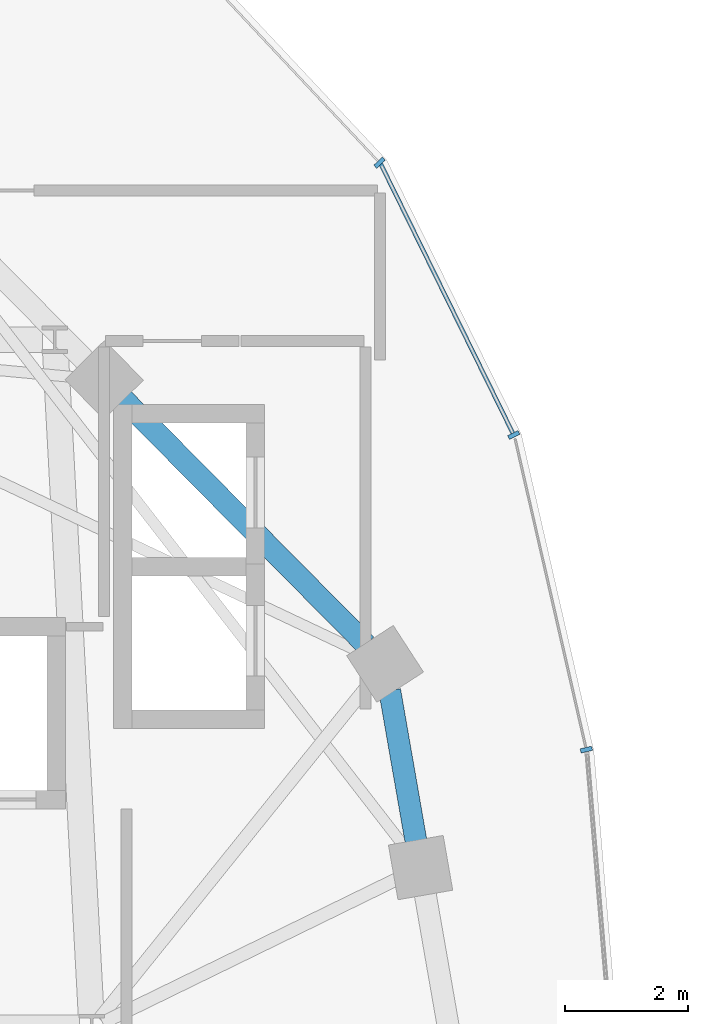
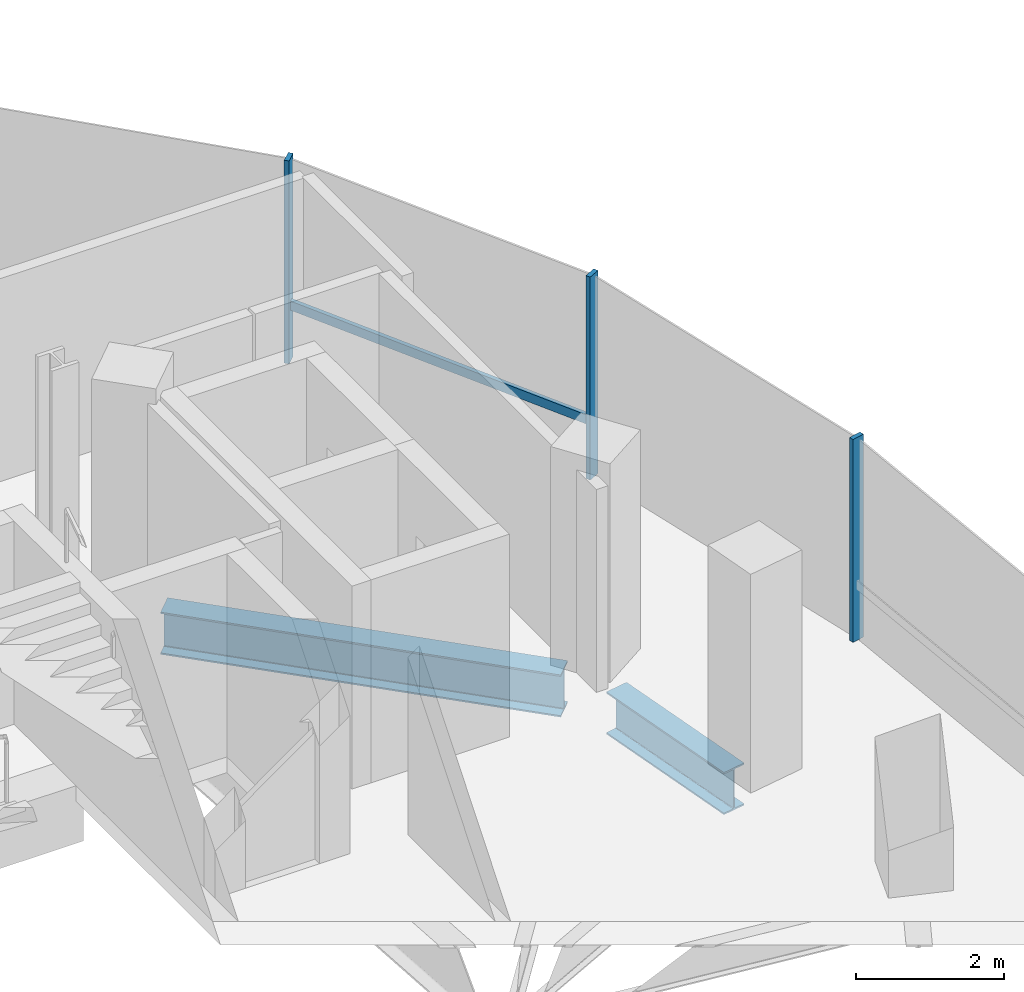
# One storey, part 7 of 25: 4 members, 2 beams, 1 element without a shape of its own.
"""IFC4 building model written with IfcOpenShell, lengths in metres."""

import ifcopenshell
import ifcopenshell.guid

model = None  # the IFC model being written
_history = None  # IfcOwnerHistory: only IFC2X3 demands one
_inside = {}  # id of a spatial element -> (the spatial element, [elements in it])
_under = {}  # id of a project, library or spatial element -> (it, [spatial elements below it])
_declared = {}  # id of a project -> (the project, [libraries it declares])
_typed = {}  # id of a type object -> (the type object, [elements of that type])
_made_of = {}  # id of a material, layer set ... -> (it, [elements and type objects made of it])


def new_model(schema):
    """Start an empty IFC model of exactly this schema.

    Asked for "IFC4X3", IfcOpenShell would pick the latest addendum, in which some entities
    have other attributes; the version numbers below select the first issue.
    IFC2X3 requires an IfcOwnerHistory on every rooted entity: one is made here for all.
    """
    global model, _history
    if schema == "IFC4X3":
        model = ifcopenshell.file(schema_version=(4, 3, 0, 0))
    else:
        model = ifcopenshell.file(schema=schema)
    _inside.clear()
    _under.clear()
    _declared.clear()
    _typed.clear()
    _made_of.clear()
    _history = None
    if model.schema == "IFC2X3":
        org = make("IfcOrganization", Name="unknown")
        user = make(
            "IfcPersonAndOrganization",
            ThePerson=make("IfcPerson", FamilyName="unknown"),
            TheOrganization=org,
        )
        app = make(
            "IfcApplication",
            ApplicationDeveloper=org,
            Version="unknown",
            ApplicationFullName="unknown",
            ApplicationIdentifier="unknown",
        )
        _history = make(
            "IfcOwnerHistory",
            OwningUser=user,
            OwningApplication=app,
            ChangeAction="ADDED",
            CreationDate=0,
        )
    return model


def make(cls, **values):
    """One entity of the class cls with the attributes given. An attribute that is None is left unset."""
    return model.create_entity(
        cls, **{name: value for name, value in values.items() if value is not None}
    )


def rooted(cls, **values):
    """An entity with a GlobalId (a new one), such as an element, a storey or a relation."""
    return make(cls, GlobalId=ifcopenshell.guid.new(), OwnerHistory=_history, **values)


def si_unit(unit_type, name, prefix=None):
    """IfcSIUnit, for example si_unit("LENGTHUNIT", "METRE", prefix="MILLI")."""
    return make("IfcSIUnit", UnitType=unit_type, Prefix=prefix, Name=name)


def assignment(units):
    """IfcUnitAssignment: the units of a project."""
    return None if units is None else make("IfcUnitAssignment", Units=units)


def point(xyz):
    """IfcCartesianPoint."""
    return None if xyz is None else make("IfcCartesianPoint", Coordinates=xyz)


def direction(xyz):
    """IfcDirection."""
    return None if xyz is None else make("IfcDirection", DirectionRatios=xyz)


def frame(location, z_axis=None, x_axis=None):
    """IfcAxis2Placement3D, a coordinate frame: its origin and axes. An axis left out is left unset."""
    return make(
        "IfcAxis2Placement3D",
        Location=point(location),
        Axis=direction(z_axis),
        RefDirection=direction(x_axis),
    )


def frame_2d(location, x_axis=None):
    """IfcAxis2Placement2D, a coordinate frame in the plane: its origin and x axis."""
    return make(
        "IfcAxis2Placement2D", Location=point(location), RefDirection=direction(x_axis)
    )


def origin():
    """The frame at (0, 0, 0) with its axes left unset."""
    return frame((0.0, 0.0, 0.0))


def origin_2d():
    """The frame at (0, 0) in the plane with its x axis left unset."""
    return frame_2d((0.0, 0.0))


def place(relative_to, where):
    """IfcLocalPlacement: puts the frame where relative to a parent placement (None: the world)."""
    return make(
        "IfcLocalPlacement", PlacementRelTo=relative_to, RelativePlacement=where
    )


def context(
    kind, dimensions, precision=None, world=None, true_north=None, identifier=None
):
    """IfcGeometricRepresentationContext, for example the 3D "Model" context."""
    return make(
        "IfcGeometricRepresentationContext",
        ContextIdentifier=identifier,
        ContextType=kind,
        CoordinateSpaceDimension=dimensions,
        Precision=precision,
        WorldCoordinateSystem=world,
        TrueNorth=true_north,
    )


def subcontext(parent, identifier, kind, view, scale=None):
    """IfcGeometricRepresentationSubContext, for example "Body" below "Model"."""
    return make(
        "IfcGeometricRepresentationSubContext",
        ContextIdentifier=identifier,
        ContextType=kind,
        ParentContext=parent,
        TargetScale=scale,
        TargetView=view,
    )


def project(units=None, contexts=None):
    """IfcProject with its units and contexts."""
    return rooted(
        "IfcProject",
        Name="project",
        RepresentationContexts=contexts,
        UnitsInContext=assignment(units),
    )


def spatial(cls, under=None, at=None, **own):
    """A site, building, storey or space (cls), placed at a placement, below another one or the project."""
    s = rooted(cls, ObjectPlacement=at, **own)
    if under is not None:
        _under.setdefault(under.id(), (under, []))[1].append(s)
    return s


def profile(cls, at=None, kind="AREA", **sizes):
    """A parametric profile (cls). Its sizes go by their IFC names, for example OverallWidth=200.0."""
    return make(cls, ProfileType=kind, Position=at, **sizes)


def rectangle(**sizes):
    """IfcRectangleProfileDef."""
    return profile("IfcRectangleProfileDef", **sizes)


def i_section(**sizes):
    """IfcIShapeProfileDef."""
    return profile("IfcIShapeProfileDef", **sizes)


def extrude(swept, where, along, depth):
    """IfcExtrudedAreaSolid: the profile swept, set in the frame where, extruded along a direction by depth."""
    return make(
        "IfcExtrudedAreaSolid",
        SweptArea=swept,
        Position=where,
        ExtrudedDirection=direction(along),
        Depth=depth,
    )


def shape(context_of_items, identifier, shape_type, items):
    """IfcShapeRepresentation: the items that make up one representation, for example the "Body"."""
    return make(
        "IfcShapeRepresentation",
        ContextOfItems=context_of_items,
        RepresentationIdentifier=identifier,
        RepresentationType=shape_type,
        Items=items,
    )


def material(Name=None, Category=None):
    """IfcMaterial."""
    return make("IfcMaterial", Name=Name, Category=Category)


def material_profile(
    of_material, cross_section, Name=None, Category=None, Priority=None
):
    """IfcMaterialProfile: a cross section and its material."""
    return make(
        "IfcMaterialProfile",
        Name=Name,
        Material=of_material,
        Profile=cross_section,
        Priority=Priority,
        Category=Category,
    )


def profile_set(profiles, Name=None, composite=None):
    """IfcMaterialProfileSet."""
    return make(
        "IfcMaterialProfileSet",
        Name=Name,
        MaterialProfiles=profiles,
        CompositeProfile=composite,
    )


def made_of(thing, what):
    """Note that an element or type object is made of a material, layer set ...; save() writes the relation."""
    if what is not None:
        _made_of.setdefault(what.id(), (what, []))[1].append(thing)
    return thing


def type_object(cls, material=None, **own):
    """A type object (cls), such as IfcWallType, which elements share."""
    return made_of(rooted(cls, **own), material)


def element(
    cls,
    number,
    at=None,
    inside=None,
    cuts=None,
    type_object=None,
    material=None,
    context=None,
    identifier="Body",
    shape_type=None,
    held_by="IfcProductDefinitionShape",
    body=None,
    shapes=None,
    **own,
):
    """One element of the class cls, such as IfcWall. Its Tag is "e" and its number.

    at: its placement. inside: the storey or other place that contains it. cuts: it is an
    opening in that element (IfcRelVoidsElement). A single representation is given by context,
    identifier, shape_type and body (its items); several are given by shapes. held_by: the class
    of the entity that holds the representations. save() writes the other relations.
    """
    e = rooted(cls, Tag="e%d" % number, ObjectPlacement=at, **own)
    if body is not None:
        shapes = [shape(context, identifier, shape_type, body)]
    if shapes is not None:
        e.Representation = make(held_by, Representations=shapes)
    if inside is not None:
        _inside.setdefault(inside.id(), (inside, []))[1].append(e)
    if cuts is not None:
        rooted(
            "IfcRelVoidsElement", RelatingBuildingElement=cuts, RelatedOpeningElement=e
        )
    if type_object is not None:
        _typed.setdefault(type_object.id(), (type_object, []))[1].append(e)
    return made_of(e, material)


def aggregate(whole, parts):
    """IfcRelAggregates: a whole, such as a stair, and the parts it consists of."""
    return rooted("IfcRelAggregates", RelatingObject=whole, RelatedObjects=parts)


def save(model, path):
    """Write the relations noted so far, then the file.

    IfcRelAggregates (storeys below a building ...), IfcRelContainedInSpatialStructure (elements
    in a storey), IfcRelDefinesByType, IfcRelAssociatesMaterial and IfcRelDeclares: one each for
    every whole, place, type object, material and project.
    """
    for whole, parts in _under.values():
        aggregate(whole, parts)
    for where, things in _inside.values():
        rooted(
            "IfcRelContainedInSpatialStructure",
            RelatedElements=things,
            RelatingStructure=where,
        )
    for kind, things in _typed.values():
        rooted("IfcRelDefinesByType", RelatedObjects=things, RelatingType=kind)
    for what, things in _made_of.values():
        rooted("IfcRelAssociatesMaterial", RelatedObjects=things, RelatingMaterial=what)
    for by, libraries in _declared.values():
        rooted("IfcRelDeclares", RelatingContext=by, RelatedDefinitions=libraries)
    model.write(path)


model = new_model("IFC4")

# Units and contexts
model_context = context("Model", 3, precision=1e-05, world=origin(), true_north=direction((0.0, 1.0)))
body_context = subcontext(model_context, "Body", "Model", "MODEL_VIEW")
ifc_project = project(units=[si_unit("LENGTHUNIT", "METRE"), si_unit("AREAUNIT", "SQUARE_METRE"), si_unit("VOLUMEUNIT", "CUBIC_METRE"), si_unit("PLANEANGLEUNIT", "RADIAN"), si_unit("MASSUNIT", "GRAM", prefix="KILO"), si_unit("THERMODYNAMICTEMPERATUREUNIT", "KELVIN"), si_unit("POWERUNIT", "WATT")], contexts=[model_context])

# Site, building, storey
site_placement = place(None, origin())
site = spatial("IfcSite", under=ifc_project, at=site_placement, CompositionType="ELEMENT")
building_placement = place(site_placement, origin())
building = spatial("IfcBuilding", under=site, at=building_placement, Name="Cundina Bronze Exchange", CompositionType="ELEMENT")
storey_placement = place(building_placement, frame((0.0, 0.0, 217.0)))
storey = spatial("IfcBuildingStorey", under=building, at=storey_placement, Name="L57", CompositionType="ELEMENT", Elevation=217.0)

# Beams
ifc_material_1 = material(Name="Steel ASTM A992 Grade 50", Category="steel")
ifc_material_profile_1 = material_profile(ifc_material_1, i_section(OverallWidth=0.35498046875, OverallDepth=0.695068359375, WebThickness=0.015380859375, FlangeThickness=0.02490234375, FilletRadius=0.01806640625, at=origin_2d()), Name="W27X146", Category="steel")
ifc_profile_set_1 = profile_set([ifc_material_profile_1], Name="Steel ASTM A992 Grade 50")
beam_type = type_object("IfcBeamType", Name="BM-RING-W27", PredefinedType="USERDEFINED", material=ifc_profile_set_1)
beam_1_placement = place(storey_placement, frame((-16.2001953125, 6.931396484375, -0.607421875), z_axis=(-0.171628556628, 0.985161732179, 0.0), x_axis=(-0.985161732179, -0.171628556628, 0.0)))
element("IfcBeam", 1, at=beam_1_placement, inside=storey, type_object=beam_type, Name="L57 W Perimeter Ring Girder 01", ObjectType="GIRDER", PredefinedType="USERDEFINED", context=body_context, shape_type="SweptSolid", body=[
    extrude(i_section(OverallWidth=0.35498046875, OverallDepth=0.695068359375, WebThickness=0.015380859375, FlangeThickness=0.02490234375, FilletRadius=0.01806640625, at=origin_2d()), origin(), (0.0, 0.0, 1.0), 2.4736328125),
])
beam_2_placement = place(storey_placement, frame((-17.008056640625, 10.111328125, -0.607421875), z_axis=(-0.703211928763, 0.710980297368, 0.0), x_axis=(-0.710980297368, -0.703211928763, 0.0)))
element("IfcBeam", 2, at=beam_2_placement, inside=storey, type_object=beam_type, Name="L57 W Perimeter Ring Girder 02", ObjectType="GIRDER", PredefinedType="USERDEFINED", context=body_context, shape_type="SweptSolid", body=[
    extrude(i_section(OverallWidth=0.35498046875, OverallDepth=0.695068359375, WebThickness=0.015380859375, FlangeThickness=0.02490234375, FilletRadius=0.01806640625, at=origin_2d()), origin(), (0.0, 0.0, 1.0), 5.593994140625),
])

# Curtain wall, members
ifc_material_2 = material(Name="Anodised Bronze Aluminium 6063-T6", Category="aluminium")
curtain_wall_type = type_object("IfcCurtainWallType", Name="CWS-UPP-OFF", PredefinedType="NOTDEFINED", material=ifc_material_2)
curtain_wall_placement = place(storey_placement, origin())
curtain_wall = element("IfcCurtainWall", 3, at=curtain_wall_placement, inside=storey, type_object=curtain_wall_type, Name="L57 CW-05 Curtain Wall Run CWR-L57-W1", PredefinedType="NOTDEFINED")
ifc_material_profile_2 = material_profile(ifc_material_2, rectangle(XDim=0.070068359375, YDim=0.18994140625, at=origin_2d()), Name="AL70X190", Category="aluminium")
ifc_profile_set_2 = profile_set([ifc_material_profile_2], Name="Anodised Bronze Aluminium 6063-T6")
member_type_1 = type_object("IfcMemberType", Name="CWM-MUL-190", PredefinedType="MULLION", material=ifc_profile_set_2)
member_1_placement = place(storey_placement, frame((-13.43994140625, 8.4111328125, 0.0), z_axis=(0.0, 0.0, 1.0), x_axis=(-0.223250116011, 0.974761194191, 0.0)))
member_1 = element("IfcMember", 4, at=member_1_placement, type_object=member_type_1, Name="CW-05 Mullion 2", PredefinedType="MULLION", context=body_context, shape_type="SweptSolid", body=[
    extrude(rectangle(XDim=0.070068359375, YDim=0.18994140625, at=origin_2d()), origin(), (0.0, 0.0, 1.0), 3.340087890625),
])
member_2_placement = place(storey_placement, frame((-14.61572265625, 13.50732421875, 0.0), z_axis=(0.0, 0.0, 1.0), x_axis=(-0.440566004113, 0.897720221461, 0.0)))
member_2 = element("IfcMember", 5, at=member_2_placement, type_object=member_type_1, Name="CW-05 Mullion 3", PredefinedType="MULLION", context=body_context, shape_type="SweptSolid", body=[
    extrude(rectangle(XDim=0.070068359375, YDim=0.18994140625, at=origin_2d()), origin(), (0.0, 0.0, 1.0), 3.340087890625),
])
member_3_placement = place(storey_placement, frame((-16.790283203125, 17.91796875, 0.0), z_axis=(0.0, 0.0, 1.0), x_axis=(-0.684292606175, 0.729207535023, 0.0)))
member_3 = element("IfcMember", 6, at=member_3_placement, type_object=member_type_1, Name="CW-05 Mullion 4", PredefinedType="MULLION", context=body_context, shape_type="SweptSolid", body=[
    extrude(rectangle(XDim=0.070068359375, YDim=0.18994140625, at=origin_2d()), origin(), (0.0, 0.0, 1.0), 3.340087890625),
])
ifc_material_profile_3 = material_profile(ifc_material_2, rectangle(XDim=0.06494140625, YDim=0.14990234375, at=origin_2d()), Name="AL65X150", Category="aluminium")
ifc_profile_set_3 = profile_set([ifc_material_profile_3], Name="Anodised Bronze Aluminium 6063-T6")
member_type_2 = type_object("IfcMemberType", Name="CWM-TRN-150", PredefinedType="USERDEFINED", material=ifc_profile_set_3)
member_4_placement = place(storey_placement, frame((-14.6328125, 13.5419921875, 0.919921875), z_axis=(-0.440483110889, 0.897760897467, 0.0), x_axis=(-0.897760897467, -0.440483110889, 0.0)))
member_4 = element("IfcMember", 7, at=member_4_placement, type_object=member_type_2, Name="CW-05 Spandrel Transom 3", ObjectType="TRANSOM", PredefinedType="USERDEFINED", context=body_context, shape_type="SweptSolid", body=[
    extrude(rectangle(XDim=0.06494140625, YDim=0.14990234375, at=origin_2d()), origin(), (0.0, 0.0, 1.0), 4.855224609375),
])
aggregate(curtain_wall, [member_1, member_2, member_4, member_3])

save(model, "model.ifc")
